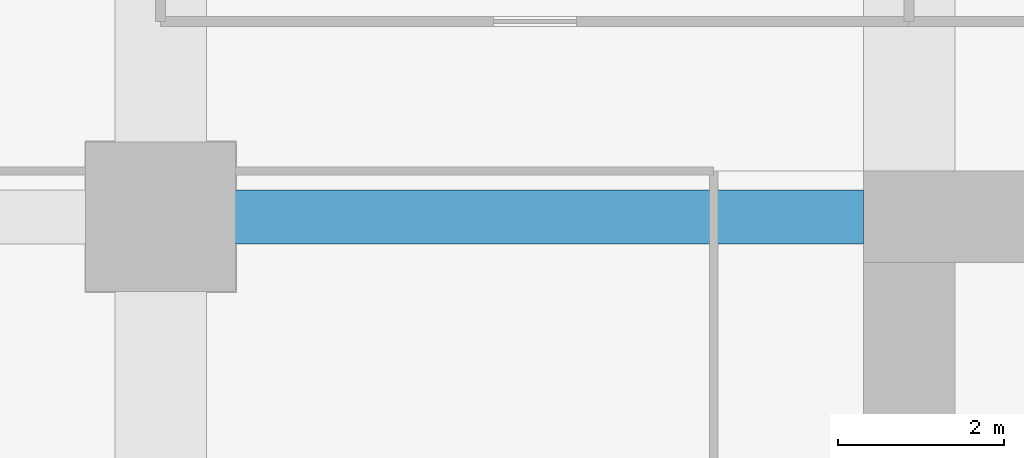
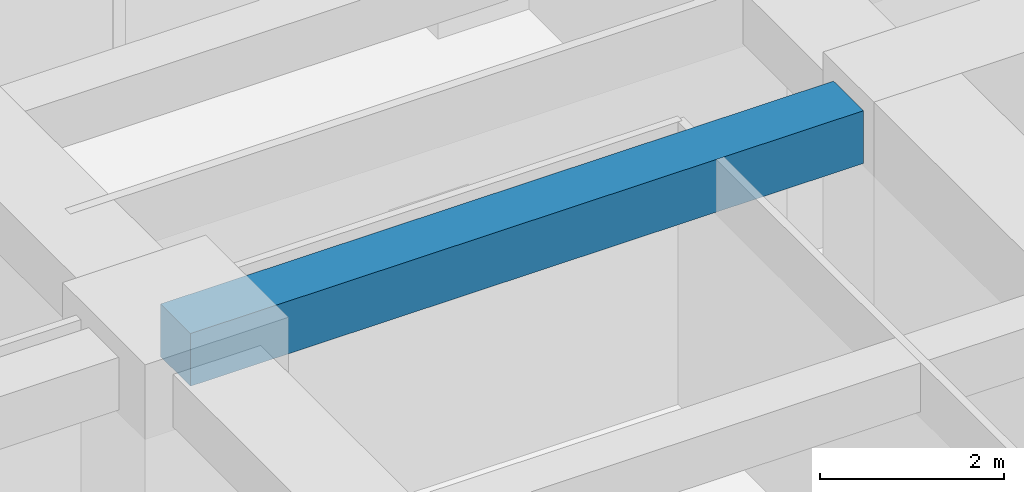
# One storey, part 25 of 41: 1 beam.
"""IFC4 building model written with IfcOpenShell, lengths in metres."""

from ifc_helpers import new_model, si_unit, direction, frame, origin, origin_2d, place, context, subcontext, project, spatial, rectangle, extrude, material, material_profile, profile_set, type_object, element, save


model = new_model("IFC4")

# Units and contexts
model_context = context("Model", 3, precision=1e-05, world=origin(), true_north=direction((0.0, 1.0)))
body_context = subcontext(model_context, "Body", "Model", "MODEL_VIEW")
ifc_project = project(units=[si_unit("LENGTHUNIT", "METRE"), si_unit("AREAUNIT", "SQUARE_METRE"), si_unit("VOLUMEUNIT", "CUBIC_METRE"), si_unit("PLANEANGLEUNIT", "RADIAN"), si_unit("MASSUNIT", "GRAM", prefix="KILO")], contexts=[model_context])

# Site, building, storey
site_placement = place(None, origin())
site = spatial("IfcSite", under=ifc_project, at=site_placement, CompositionType="ELEMENT")
building_placement = place(site_placement, origin())
building = spatial("IfcBuilding", under=site, at=building_placement, Name="Zorevar Civic Tower", CompositionType="ELEMENT")
storey_placement = place(building_placement, frame((0.0, 0.0, 137.0)))
storey = spatial("IfcBuildingStorey", under=building, at=storey_placement, Name="L33", CompositionType="ELEMENT", Elevation=137.0)

# Beam
ifc_material = material(Name="Concrete C50/60", Category="concrete")
ifc_material_profile = material_profile(ifc_material, rectangle(XDim=0.64990234375, YDim=0.699951171875, at=origin_2d()), Name="RC 650x700")
ifc_profile_set = profile_set([ifc_material_profile], Name="Concrete C50/60")
beam_type = type_object("IfcBeamType", Name="Beam RC 650x700", PredefinedType="BEAM", material=ifc_profile_set)
beam_placement = place(storey_placement, frame((9.0, 36.0, 3.39990234375), z_axis=(1.0, 0.0, 0.0), x_axis=(0.0, 1.0, 0.0)))
element("IfcBeam", 1, at=beam_placement, inside=storey, type_object=beam_type, Name="Girder L34", PredefinedType="BEAM", context=body_context, shape_type="SweptSolid", body=[
    extrude(rectangle(XDim=0.64990234375, YDim=0.699951171875, at=origin_2d()), origin(), (0.0, 0.0, 1.0), 8.449951171875),
])

save(model, "model.ifc")
